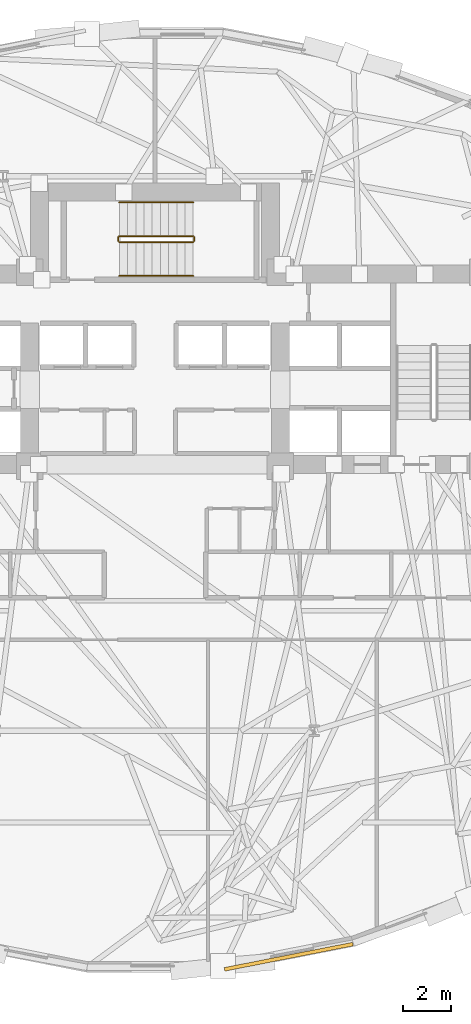
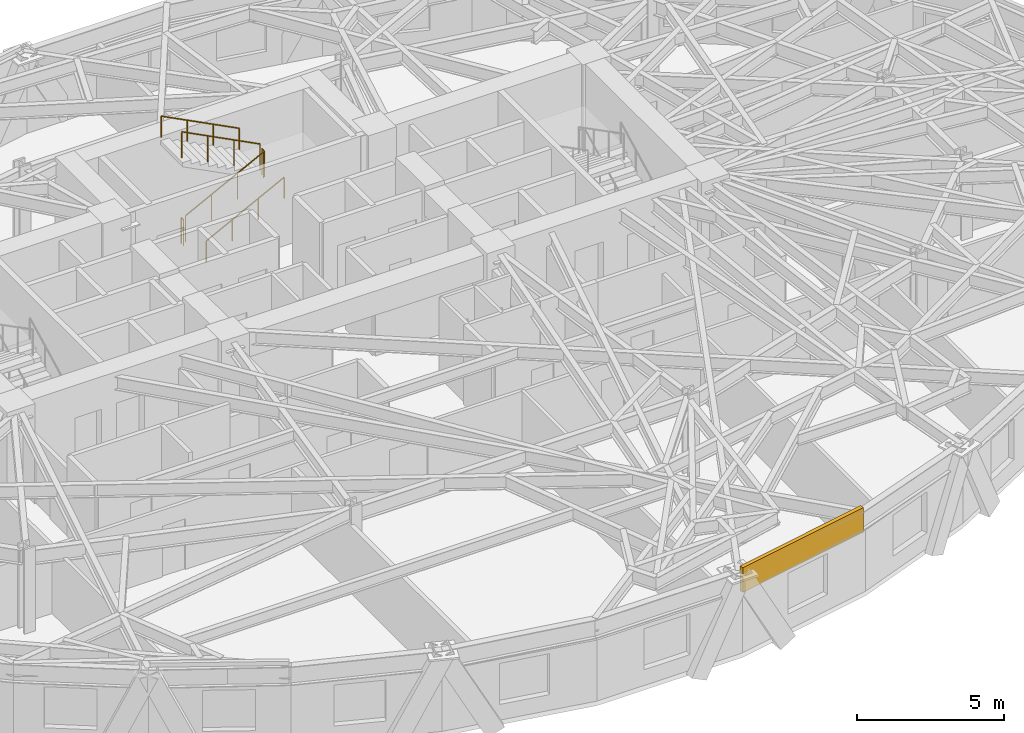
# One storey, part 12 of 14: 6 railings, 1 covering.
"""IFC4 building model written with IfcOpenShell, lengths in metres."""

import ifcopenshell
import ifcopenshell.guid

model = None  # the IFC model being written
_history = None  # IfcOwnerHistory: only IFC2X3 demands one
_inside = {}  # id of a spatial element -> (the spatial element, [elements in it])
_under = {}  # id of a project, library or spatial element -> (it, [spatial elements below it])
_declared = {}  # id of a project -> (the project, [libraries it declares])
_typed = {}  # id of a type object -> (the type object, [elements of that type])
_made_of = {}  # id of a material, layer set ... -> (it, [elements and type objects made of it])


def new_model(schema):
    """Start an empty IFC model of exactly this schema.

    Asked for "IFC4X3", IfcOpenShell would pick the latest addendum, in which some entities
    have other attributes; the version numbers below select the first issue.
    IFC2X3 requires an IfcOwnerHistory on every rooted entity: one is made here for all.
    """
    global model, _history
    if schema == "IFC4X3":
        model = ifcopenshell.file(schema_version=(4, 3, 0, 0))
    else:
        model = ifcopenshell.file(schema=schema)
    _inside.clear()
    _under.clear()
    _declared.clear()
    _typed.clear()
    _made_of.clear()
    _history = None
    if model.schema == "IFC2X3":
        org = make("IfcOrganization", Name="unknown")
        user = make(
            "IfcPersonAndOrganization",
            ThePerson=make("IfcPerson", FamilyName="unknown"),
            TheOrganization=org,
        )
        app = make(
            "IfcApplication",
            ApplicationDeveloper=org,
            Version="unknown",
            ApplicationFullName="unknown",
            ApplicationIdentifier="unknown",
        )
        _history = make(
            "IfcOwnerHistory",
            OwningUser=user,
            OwningApplication=app,
            ChangeAction="ADDED",
            CreationDate=0,
        )
    return model


def make(cls, **values):
    """One entity of the class cls with the attributes given. An attribute that is None is left unset."""
    return model.create_entity(
        cls, **{name: value for name, value in values.items() if value is not None}
    )


def rooted(cls, **values):
    """An entity with a GlobalId (a new one), such as an element, a storey or a relation."""
    return make(cls, GlobalId=ifcopenshell.guid.new(), OwnerHistory=_history, **values)


def si_unit(unit_type, name, prefix=None):
    """IfcSIUnit, for example si_unit("LENGTHUNIT", "METRE", prefix="MILLI")."""
    return make("IfcSIUnit", UnitType=unit_type, Prefix=prefix, Name=name)


def assignment(units):
    """IfcUnitAssignment: the units of a project."""
    return None if units is None else make("IfcUnitAssignment", Units=units)


def point(xyz):
    """IfcCartesianPoint."""
    return None if xyz is None else make("IfcCartesianPoint", Coordinates=xyz)


def direction(xyz):
    """IfcDirection."""
    return None if xyz is None else make("IfcDirection", DirectionRatios=xyz)


def frame(location, z_axis=None, x_axis=None):
    """IfcAxis2Placement3D, a coordinate frame: its origin and axes. An axis left out is left unset."""
    return make(
        "IfcAxis2Placement3D",
        Location=point(location),
        Axis=direction(z_axis),
        RefDirection=direction(x_axis),
    )


def frame_2d(location, x_axis=None):
    """IfcAxis2Placement2D, a coordinate frame in the plane: its origin and x axis."""
    return make(
        "IfcAxis2Placement2D", Location=point(location), RefDirection=direction(x_axis)
    )


def origin():
    """The frame at (0, 0, 0) with its axes left unset."""
    return frame((0.0, 0.0, 0.0))


def origin_2d():
    """The frame at (0, 0) in the plane with its x axis left unset."""
    return frame_2d((0.0, 0.0))


def place(relative_to, where):
    """IfcLocalPlacement: puts the frame where relative to a parent placement (None: the world)."""
    return make(
        "IfcLocalPlacement", PlacementRelTo=relative_to, RelativePlacement=where
    )


def context(
    kind, dimensions, precision=None, world=None, true_north=None, identifier=None
):
    """IfcGeometricRepresentationContext, for example the 3D "Model" context."""
    return make(
        "IfcGeometricRepresentationContext",
        ContextIdentifier=identifier,
        ContextType=kind,
        CoordinateSpaceDimension=dimensions,
        Precision=precision,
        WorldCoordinateSystem=world,
        TrueNorth=true_north,
    )


def subcontext(parent, identifier, kind, view, scale=None):
    """IfcGeometricRepresentationSubContext, for example "Body" below "Model"."""
    return make(
        "IfcGeometricRepresentationSubContext",
        ContextIdentifier=identifier,
        ContextType=kind,
        ParentContext=parent,
        TargetScale=scale,
        TargetView=view,
    )


def project(units=None, contexts=None):
    """IfcProject with its units and contexts."""
    return rooted(
        "IfcProject",
        Name="project",
        RepresentationContexts=contexts,
        UnitsInContext=assignment(units),
    )


def spatial(cls, under=None, at=None, **own):
    """A site, building, storey or space (cls), placed at a placement, below another one or the project."""
    s = rooted(cls, ObjectPlacement=at, **own)
    if under is not None:
        _under.setdefault(under.id(), (under, []))[1].append(s)
    return s


def profile(cls, at=None, kind="AREA", **sizes):
    """A parametric profile (cls). Its sizes go by their IFC names, for example OverallWidth=200.0."""
    return make(cls, ProfileType=kind, Position=at, **sizes)


def rectangle(**sizes):
    """IfcRectangleProfileDef."""
    return profile("IfcRectangleProfileDef", **sizes)


def circle(**sizes):
    """IfcCircleProfileDef."""
    return profile("IfcCircleProfileDef", **sizes)


def extrude(swept, where, along, depth):
    """IfcExtrudedAreaSolid: the profile swept, set in the frame where, extruded along a direction by depth."""
    return make(
        "IfcExtrudedAreaSolid",
        SweptArea=swept,
        Position=where,
        ExtrudedDirection=direction(along),
        Depth=depth,
    )


def shape(context_of_items, identifier, shape_type, items):
    """IfcShapeRepresentation: the items that make up one representation, for example the "Body"."""
    return make(
        "IfcShapeRepresentation",
        ContextOfItems=context_of_items,
        RepresentationIdentifier=identifier,
        RepresentationType=shape_type,
        Items=items,
    )


def material(Name=None, Category=None):
    """IfcMaterial."""
    return make("IfcMaterial", Name=Name, Category=Category)


def layer(
    of_material, thickness, ventilated=None, Name=None, Category=None, Priority=None
):
    """IfcMaterialLayer: one layer of a wall or slab, of a material (None: an air gap)."""
    return make(
        "IfcMaterialLayer",
        Material=of_material,
        LayerThickness=thickness,
        IsVentilated=ventilated,
        Name=Name,
        Category=Category,
        Priority=Priority,
    )


def layer_set(layers, Name=None):
    """IfcMaterialLayerSet."""
    return make("IfcMaterialLayerSet", MaterialLayers=layers, LayerSetName=Name)


def made_of(thing, what):
    """Note that an element or type object is made of a material, layer set ...; save() writes the relation."""
    if what is not None:
        _made_of.setdefault(what.id(), (what, []))[1].append(thing)
    return thing


def type_object(cls, material=None, **own):
    """A type object (cls), such as IfcWallType, which elements share."""
    return made_of(rooted(cls, **own), material)


def element(
    cls,
    number,
    at=None,
    inside=None,
    cuts=None,
    type_object=None,
    material=None,
    context=None,
    identifier="Body",
    shape_type=None,
    held_by="IfcProductDefinitionShape",
    body=None,
    shapes=None,
    **own,
):
    """One element of the class cls, such as IfcWall. Its Tag is "e" and its number.

    at: its placement. inside: the storey or other place that contains it. cuts: it is an
    opening in that element (IfcRelVoidsElement). A single representation is given by context,
    identifier, shape_type and body (its items); several are given by shapes. held_by: the class
    of the entity that holds the representations. save() writes the other relations.
    """
    e = rooted(cls, Tag="e%d" % number, ObjectPlacement=at, **own)
    if body is not None:
        shapes = [shape(context, identifier, shape_type, body)]
    if shapes is not None:
        e.Representation = make(held_by, Representations=shapes)
    if inside is not None:
        _inside.setdefault(inside.id(), (inside, []))[1].append(e)
    if cuts is not None:
        rooted(
            "IfcRelVoidsElement", RelatingBuildingElement=cuts, RelatedOpeningElement=e
        )
    if type_object is not None:
        _typed.setdefault(type_object.id(), (type_object, []))[1].append(e)
    return made_of(e, material)


def aggregate(whole, parts):
    """IfcRelAggregates: a whole, such as a stair, and the parts it consists of."""
    return rooted("IfcRelAggregates", RelatingObject=whole, RelatedObjects=parts)


def save(model, path):
    """Write the relations noted so far, then the file.

    IfcRelAggregates (storeys below a building ...), IfcRelContainedInSpatialStructure (elements
    in a storey), IfcRelDefinesByType, IfcRelAssociatesMaterial and IfcRelDeclares: one each for
    every whole, place, type object, material and project.
    """
    for whole, parts in _under.values():
        aggregate(whole, parts)
    for where, things in _inside.values():
        rooted(
            "IfcRelContainedInSpatialStructure",
            RelatedElements=things,
            RelatingStructure=where,
        )
    for kind, things in _typed.values():
        rooted("IfcRelDefinesByType", RelatedObjects=things, RelatingType=kind)
    for what, things in _made_of.values():
        rooted("IfcRelAssociatesMaterial", RelatedObjects=things, RelatingMaterial=what)
    for by, libraries in _declared.values():
        rooted("IfcRelDeclares", RelatingContext=by, RelatedDefinitions=libraries)
    model.write(path)


model = new_model("IFC4")

# Units and contexts
model_context = context("Model", 3, precision=1e-05, world=origin(), true_north=direction((0.0, 1.0)))
body_context = subcontext(model_context, "Body", "Model", "MODEL_VIEW")
ifc_project = project(units=[si_unit("LENGTHUNIT", "METRE"), si_unit("AREAUNIT", "SQUARE_METRE"), si_unit("VOLUMEUNIT", "CUBIC_METRE"), si_unit("PLANEANGLEUNIT", "RADIAN"), si_unit("MASSUNIT", "GRAM", prefix="KILO")], contexts=[model_context])

# Site, building, storey
site_placement = place(None, origin())
site = spatial("IfcSite", under=ifc_project, at=site_placement, CompositionType="ELEMENT")
building_placement = place(site_placement, origin())
building = spatial("IfcBuilding", under=site, at=building_placement, Name="Keldmark Tower", CompositionType="ELEMENT")
storey_placement = place(building_placement, frame((0.0, 0.0, 89.60009765625)))
storey = spatial("IfcBuildingStorey", under=building, at=storey_placement, Name="L23", CompositionType="ELEMENT", Elevation=89.60009765625)

# Covering
ifc_material_1 = material(Name="Honed Kasota Buff Dolomitic Limestone", Category="masonry")
ifc_layer = layer(ifc_material_1, 0.074951171875)
ifc_layer_set = layer_set([ifc_layer], Name="Honed Kasota Buff Dolomitic Limestone")
covering_type = type_object("IfcCoveringType", Name="Kasota Buff Limestone Spandrel Cladding Band", PredefinedType="CLADDING", material=ifc_layer_set)
covering_placement = place(storey_placement, frame((5.547607421875, -18.952392578125, 2.45166015625), z_axis=(0.0, 0.0, 1.0), x_axis=(0.981181616545, 0.193087118563, 0.0)))
element("IfcCovering", 1, at=covering_placement, inside=storey, type_object=covering_type, Name="L23 Kasota Limestone Spandrel Band 25", PredefinedType="CLADDING", context=body_context, shape_type="SweptSolid", body=[
    extrude(rectangle(XDim=5.427490234375, YDim=0.14990234375, at=origin_2d()), origin(), (0.0, 0.0, 1.0), 1.028076171875),
])

# Railings
ifc_material_2 = material(Name="Painted Steel ASTM A500 Grade B", Category="steel")
railing_type_1 = type_object("IfcRailingType", Name="Painted Steel Stair Well Guard 1100 mm", PredefinedType="GUARDRAIL", material=ifc_material_2)
railing_1_placement = place(storey_placement, frame((-1.47509765625, 10.699951171875, 0.1748046875)))
element("IfcRailing", 2, at=railing_1_placement, inside=storey, type_object=railing_type_1, Name="L23 ST3 stair guard 1", PredefinedType="GUARDRAIL", context=body_context, shape_type="SweptSolid", body=[
    extrude(circle(Radius=0.02392578125, at=origin_2d()), frame((0.0, 0.0, 1.076171875), z_axis=(0.889116283586, 0.0, 0.457681367616), x_axis=(0.0, 1.0, 0.0)), (0.0, 0.0, 1.0), 3.441650390625),
    extrude(circle(Radius=0.02099609375, at=origin_2d()), origin(), (0.0, 0.0, 1.0), 1.052001953125),
    extrude(circle(Radius=0.02099609375, at=origin_2d()), frame((1.02001953125, 0.0, 0.525146484375)), (0.0, 0.0, 1.0), 1.052001953125),
    extrude(circle(Radius=0.02099609375, at=origin_2d()), frame((2.0400390625, 0.0, 1.050048828125)), (0.0, 0.0, 1.0), 1.052001953125),
    extrude(circle(Radius=0.02099609375, at=origin_2d()), frame((3.06005859375, 0.0, 1.5751953125)), (0.0, 0.0, 1.0), 1.052001953125),
])
railing_2_placement = place(storey_placement, frame((1.635009765625, 10.75, 1.75)))
element("IfcRailing", 3, at=railing_2_placement, inside=storey, type_object=railing_type_1, Name="L23 ST3 stair guard 2", PredefinedType="GUARDRAIL", context=body_context, shape_type="SweptSolid", body=[
    extrude(circle(Radius=0.02392578125, at=origin_2d()), frame((0.0, 0.0, 1.076171875), z_axis=(0.0, 1.0, 0.0), x_axis=(-1.0, 0.0, 0.0)), (0.0, 0.0, 1.0), 0.14990234375),
    extrude(circle(Radius=0.02099609375, at=origin_2d()), origin(), (0.0, 0.0, 1.0), 1.052001953125),
    extrude(circle(Radius=0.02099609375, at=origin_2d()), frame((0.0, 0.14990234375, 0.0)), (0.0, 0.0, 1.0), 1.052001953125),
])
railing_3_placement = place(storey_placement, frame((1.5849609375, 10.949951171875, 1.9248046875)))
element("IfcRailing", 4, at=railing_3_placement, inside=storey, type_object=railing_type_1, Name="L23 ST3 stair guard 3", PredefinedType="GUARDRAIL", context=body_context, shape_type="SweptSolid", body=[
    extrude(circle(Radius=0.02392578125, at=origin_2d()), frame((0.0, 0.0, 1.076171875), z_axis=(-0.889116283586, 0.0, 0.457681367616), x_axis=(0.0, -1.0, 0.0)), (0.0, 0.0, 1.0), 3.441650390625),
    extrude(circle(Radius=0.02099609375, at=origin_2d()), origin(), (0.0, 0.0, 1.0), 1.052001953125),
    extrude(circle(Radius=0.02099609375, at=origin_2d()), frame((-1.02001953125, 0.0, 0.525146484375)), (0.0, 0.0, 1.0), 1.052001953125),
    extrude(circle(Radius=0.02099609375, at=origin_2d()), frame((-2.0400390625, 0.0, 1.050048828125)), (0.0, 0.0, 1.0), 1.052001953125),
    extrude(circle(Radius=0.02099609375, at=origin_2d()), frame((-3.06005859375, 0.0, 1.5751953125)), (0.0, 0.0, 1.0), 1.052001953125),
])
railing_4_placement = place(storey_placement, frame((-1.52490234375, 10.75, 0.0)))
element("IfcRailing", 5, at=railing_4_placement, inside=storey, type_object=railing_type_1, Name="L23 ST3 stair guard 4", PredefinedType="GUARDRAIL", context=body_context, shape_type="SweptSolid", body=[
    extrude(circle(Radius=0.02392578125, at=origin_2d()), frame((0.0, 0.0, 1.076171875), z_axis=(0.0, 1.0, 0.0), x_axis=(-1.0, 0.0, 0.0)), (0.0, 0.0, 1.0), 0.14990234375),
    extrude(circle(Radius=0.02099609375, at=origin_2d()), origin(), (0.0, 0.0, 1.0), 1.052001953125),
    extrude(circle(Radius=0.02099609375, at=origin_2d()), frame((0.0, 0.14990234375, 0.0)), (0.0, 0.0, 1.0), 1.052001953125),
])
ifc_material_3 = material(Name="Stainless Steel AISI 316L", Category="steel")
railing_type_2 = type_object("IfcRailingType", Name="Stainless Steel Stair Handrail 900 mm", PredefinedType="HANDRAIL", material=ifc_material_3)
railing_5_placement = place(storey_placement, frame((-1.47509765625, 9.300048828125, 0.1748046875)))
element("IfcRailing", 6, at=railing_5_placement, inside=storey, type_object=railing_type_2, Name="L23 ST3 stair handrail 1", PredefinedType="HANDRAIL", context=body_context, shape_type="SweptSolid", body=[
    extrude(circle(Radius=0.02392578125, at=origin_2d()), frame((0.0, 0.0, 0.8759765625), z_axis=(0.889116283586, 0.0, 0.457681367616), x_axis=(0.0, 1.0, 0.0)), (0.0, 0.0, 1.0), 3.441650390625),
    extrude(circle(Radius=0.02099609375, at=origin_2d()), origin(), (0.0, 0.0, 1.0), 0.851806640625),
    extrude(circle(Radius=0.02099609375, at=origin_2d()), frame((1.02001953125, 0.0, 0.525146484375)), (0.0, 0.0, 1.0), 0.851806640625),
    extrude(circle(Radius=0.02099609375, at=origin_2d()), frame((2.0400390625, 0.0, 1.050048828125)), (0.0, 0.0, 1.0), 0.851806640625),
    extrude(circle(Radius=0.02099609375, at=origin_2d()), frame((3.06005859375, 0.0, 1.5751953125)), (0.0, 0.0, 1.0), 0.851806640625),
])
railing_6_placement = place(storey_placement, frame((1.5849609375, 12.35009765625, 1.9248046875)))
element("IfcRailing", 7, at=railing_6_placement, inside=storey, type_object=railing_type_2, Name="L23 ST3 stair handrail 2", PredefinedType="HANDRAIL", context=body_context, shape_type="SweptSolid", body=[
    extrude(circle(Radius=0.02392578125, at=origin_2d()), frame((0.0, 0.0, 0.8759765625), z_axis=(-0.889116283586, 0.0, 0.457681367616), x_axis=(0.0, -1.0, 0.0)), (0.0, 0.0, 1.0), 3.441650390625),
    extrude(circle(Radius=0.02099609375, at=origin_2d()), origin(), (0.0, 0.0, 1.0), 0.851806640625),
    extrude(circle(Radius=0.02099609375, at=origin_2d()), frame((-1.02001953125, 0.0, 0.525146484375)), (0.0, 0.0, 1.0), 0.851806640625),
    extrude(circle(Radius=0.02099609375, at=origin_2d()), frame((-2.0400390625, 0.0, 1.050048828125)), (0.0, 0.0, 1.0), 0.851806640625),
    extrude(circle(Radius=0.02099609375, at=origin_2d()), frame((-3.06005859375, 0.0, 1.5751953125)), (0.0, 0.0, 1.0), 0.851806640625),
])

save(model, "model.ifc")
